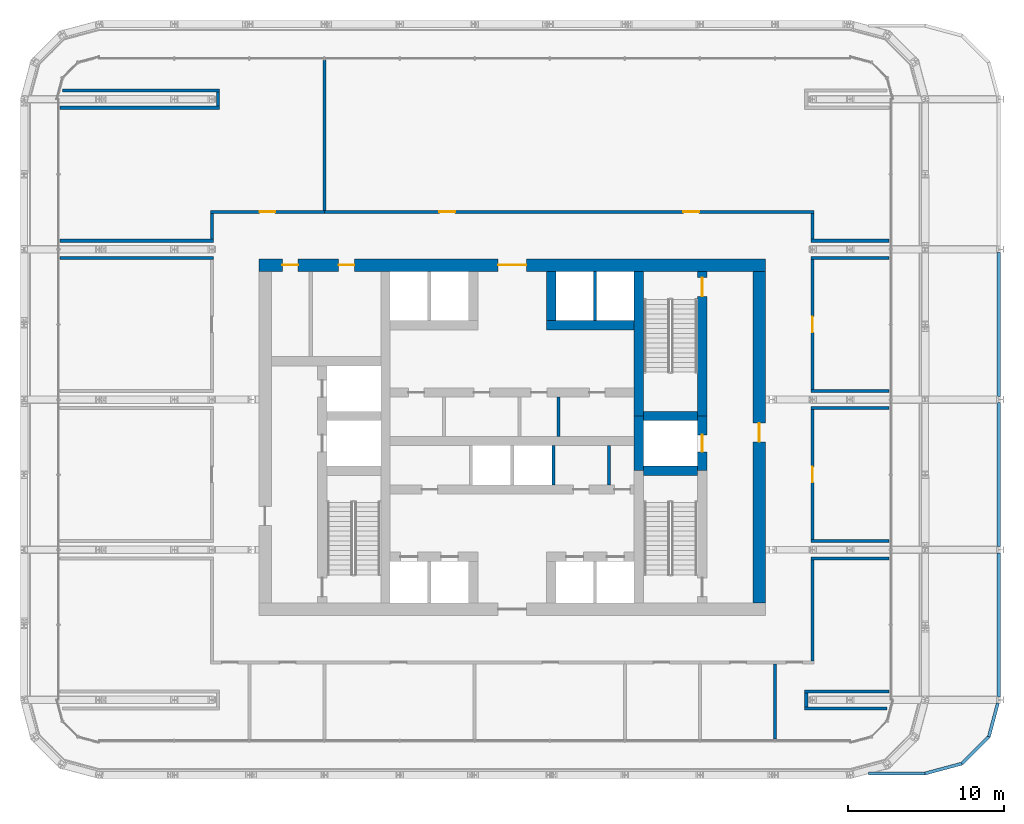
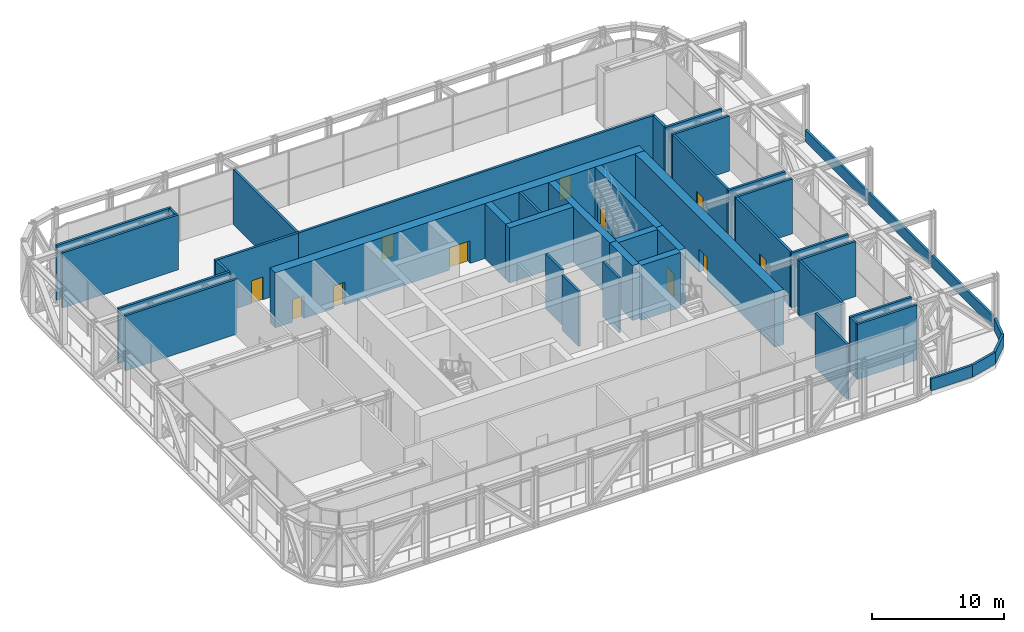
# One storey, part 18 of 25: 44 walls, 11 doors, 11 openings.
"""IFC4 building model written with IfcOpenShell, lengths in metres."""

from ifc_helpers import new_model, si_unit, direction, frame, frame_2d, origin, place, context, subcontext, project, spatial, rectangle, extrude, material, layer, layer_set, type_object, element, fill, save


model = new_model("IFC4")

# Units and contexts
model_context = context("Model", 3, precision=1e-05, world=origin(), true_north=direction((0.0, 1.0)))
body_context = subcontext(model_context, "Body", "Model", "MODEL_VIEW")
ifc_project = project(units=[si_unit("LENGTHUNIT", "METRE"), si_unit("AREAUNIT", "SQUARE_METRE"), si_unit("VOLUMEUNIT", "CUBIC_METRE"), si_unit("PLANEANGLEUNIT", "RADIAN"), si_unit("MASSUNIT", "GRAM", prefix="KILO")], contexts=[model_context])

# Site, building, storey
site_placement = place(None, origin())
site = spatial("IfcSite", under=ifc_project, at=site_placement, CompositionType="ELEMENT")
building_placement = place(site_placement, origin())
building = spatial("IfcBuilding", under=site, at=building_placement, Name="Madar Terraces", CompositionType="ELEMENT")
storey_placement = place(building_placement, frame((0.0, 0.0, 113.699951171875)))
storey = spatial("IfcBuildingStorey", under=building, at=storey_placement, Name="L29", CompositionType="ELEMENT", Elevation=113.699951171875)

# Walls
ifc_material_1 = material(Name="Concrete C70/85", Category="concrete")
ifc_layer_1 = layer(ifc_material_1, 0.60009765625)
ifc_layer_set_1 = layer_set([ifc_layer_1], Name="Concrete C70/85 (CIW3 RC wall 600)")
wall_type_1 = type_object("IfcWallType", Name="CIW3 RC wall 600", PredefinedType="SHEAR", material=ifc_layer_set_1)
wall_1_placement = place(storey_placement, frame((39.300048828125, 24.25, 0.0), z_axis=(0.0, 0.0, 1.0), x_axis=(0.0, 1.0, 0.0)))
element("IfcWall", 1, at=wall_1_placement, inside=storey, type_object=wall_type_1, Name="CORE SHAFT WALL", PredefinedType="SHEAR", context=body_context, shape_type="SweptSolid", body=[
    extrude(rectangle(XDim=3.5, YDim=0.60009765625, at=frame_2d((1.75, 0.0))), origin(), (0.0, 0.0, 1.0), 5.10009765625),
])
wall_2_placement = place(storey_placement, frame((39.300048828125, 27.75, 0.0), z_axis=(0.0, 0.0, 1.0), x_axis=(0.0, 1.0, 0.0)))
element("IfcWall", 2, at=wall_2_placement, inside=storey, type_object=wall_type_1, Name="CORE SHAFT WALL", PredefinedType="SHEAR", context=body_context, shape_type="SweptSolid", body=[
    extrude(rectangle(XDim=9.25, YDim=0.60009765625, at=frame_2d((4.625, 0.0))), origin(), (0.0, 0.0, 1.0), 5.10009765625),
])

# Wall, opening, door
wall_3_placement = place(storey_placement, frame((43.35009765625, 24.25, 0.0), z_axis=(0.0, 0.0, 1.0), x_axis=(0.0, 1.0, 0.0)))
wall_3 = element("IfcWall", 3, at=wall_3_placement, inside=storey, type_object=wall_type_1, Name="CORE SHAFT WALL", PredefinedType="SHEAR", context=body_context, shape_type="SweptSolid", body=[
    extrude(rectangle(XDim=3.5, YDim=0.60009765625, at=frame_2d((1.75, 0.0))), origin(), (0.0, 0.0, 1.0), 5.10009765625),
])
opening_1_placement = place(wall_3_placement, frame((1.199951171875, 0.0, 0.0)))
opening_1 = element("IfcOpeningElement", 4, at=opening_1_placement, cuts=wall_3, Name="Opening LD", PredefinedType="OPENING", context=body_context, shape_type="SweptSolid", body=[
    extrude(rectangle(XDim=1.10009765625, YDim=2.10009765625, at=frame_2d((0.550048828125, 1.050048828125))), frame((0.0, 0.31005859375, 0.0), z_axis=(0.0, -1.0, 0.0), x_axis=(1.0, 0.0, 0.0)), (0.0, 0.0, 1.0), 0.6201171875),
])
ifc_material_2 = material(Name="Stainless steel panel", Category="steel")
door_type_1 = type_object("IfcDoorType", Name="Lift landing door 1100 x 2100", OperationType="DOUBLE_DOOR_SLIDING", PredefinedType="DOOR", material=ifc_material_2)
door_1_placement = place(opening_1_placement, origin())
door_1 = element("IfcDoor", 5, at=door_1_placement, inside=storey, type_object=door_type_1, Name="LIFT LANDING DOOR", OperationType="DOUBLE_DOOR_SLIDING", OverallHeight=2.10009765625, OverallWidth=1.10009765625, PredefinedType="DOOR", context=body_context, shape_type="SweptSolid", body=[
    extrude(rectangle(XDim=1.10009765625, YDim=2.10009765625, at=frame_2d((0.550048828125, 1.050048828125))), frame((0.0, 0.02490234375, 0.0), z_axis=(0.0, -1.0, 0.0), x_axis=(1.0, 0.0, 0.0)), (0.0, 0.0, 1.0), 0.050048828125),
])
fill(opening_1, door_1)

wall_4_placement = place(storey_placement, frame((43.35009765625, 27.75, 0.0), z_axis=(0.0, 0.0, 1.0), x_axis=(0.0, 1.0, 0.0)))
wall_4 = element("IfcWall", 6, at=wall_4_placement, inside=storey, type_object=wall_type_1, Name="CORE SHAFT WALL", PredefinedType="SHEAR", context=body_context, shape_type="SweptSolid", body=[
    extrude(rectangle(XDim=9.25, YDim=0.60009765625, at=frame_2d((4.625, 0.0))), origin(), (0.0, 0.0, 1.0), 5.10009765625),
])
opening_2_placement = place(wall_4_placement, frame((7.64990234375, 0.0, 0.0)))
opening_2 = element("IfcOpeningElement", 7, at=opening_2_placement, cuts=wall_4, Name="Opening SD1", PredefinedType="OPENING", context=body_context, shape_type="SweptSolid", body=[
    extrude(rectangle(XDim=1.199951171875, YDim=2.10009765625, at=frame_2d((0.60009765625, 1.050048828125))), frame((0.0, 0.31005859375, 0.0), z_axis=(0.0, -1.0, 0.0), x_axis=(1.0, 0.0, 0.0)), (0.0, 0.0, 1.0), 0.6201171875),
])
ifc_material_3 = material(Name="Steel door leaf", Category="steel")
door_type_2 = type_object("IfcDoorType", Name="Stair door 1200 x 2100", OperationType="NOTDEFINED", PredefinedType="DOOR", material=ifc_material_3)
door_2_placement = place(opening_2_placement, origin())
door_2 = element("IfcDoor", 8, at=door_2_placement, inside=storey, type_object=door_type_2, Name="STAIR DOOR", OperationType="SINGLE_SWING_LEFT", OverallHeight=2.10009765625, OverallWidth=1.199951171875, PredefinedType="DOOR", context=body_context, shape_type="SweptSolid", body=[
    extrude(rectangle(XDim=1.199951171875, YDim=2.10009765625, at=frame_2d((0.60009765625, 1.050048828125))), frame((0.0, 0.02490234375, 0.0), z_axis=(0.0, -1.0, 0.0), x_axis=(1.0, 0.0, 0.0)), (0.0, 0.0, 1.0), 0.050048828125),
])
fill(opening_2, door_2)

# Walls
for number, where, z_axis, x_axis, name in (
    (9, (39.60009765625, 24.25, 0.0), (0.0, 0.0, 1.0), (1.0, 0.0, 0.0), "CORE SHAFT WALL"),
    (10, (39.60009765625, 27.75, 0.0), (0.0, 0.0, 1.0), (1.0, 0.0, 0.0), "CORE SHAFT WALL"),
):
    element("IfcWall", number, at=place(storey_placement, frame(where, z_axis=z_axis, x_axis=x_axis)), inside=storey, type_object=wall_type_1, Name=name, PredefinedType="SHEAR", context=body_context, shape_type="SweptSolid", body=[
        extrude(rectangle(XDim=3.449951171875, YDim=0.60009765625, at=frame_2d((1.72509765625, 0.0))), origin(), (0.0, 0.0, 1.0), 5.10009765625),
    ])
wall_5_placement = place(storey_placement, frame((33.39990234375, 33.550048828125, 0.0), z_axis=(0.0, 0.0, 1.0), x_axis=(1.0, 0.0, 0.0)))
element("IfcWall", 11, at=wall_5_placement, inside=storey, type_object=wall_type_1, Name="CORE SHAFT WALL", PredefinedType="SHEAR", context=body_context, shape_type="SweptSolid", body=[
    extrude(rectangle(XDim=5.60009765625, YDim=0.60009765625, at=frame_2d((2.800048828125, 0.0))), origin(), (0.0, 0.0, 1.0), 5.10009765625),
])
wall_6_placement = place(storey_placement, frame((33.699951171875, 33.85009765625, 0.0), z_axis=(0.0, 0.0, 1.0), x_axis=(0.0, 1.0, 0.0)))
element("IfcWall", 12, at=wall_6_placement, inside=storey, type_object=wall_type_1, Name="CORE SHAFT WALL", PredefinedType="SHEAR", context=body_context, shape_type="SweptSolid", body=[
    extrude(rectangle(XDim=3.14990234375, YDim=0.60009765625, at=frame_2d((1.574951171875, 0.0))), origin(), (0.0, 0.0, 1.0), 5.10009765625),
])

# Wall, openings, doors
ifc_material_4 = material(Name="Concrete C70/85", Category="concrete")
ifc_layer_2 = layer(ifc_material_4, 0.800048828125)
ifc_layer_set_2 = layer_set([ifc_layer_2], Name="Concrete C70/85 (CRW3 RC wall 800)")
wall_type_2 = type_object("IfcWallType", Name="CRW3 RC wall 800", PredefinedType="SHEAR", material=ifc_layer_set_2)
wall_7_placement = place(storey_placement, frame((15.0, 37.39990234375, 0.0), z_axis=(0.0, 0.0, 1.0), x_axis=(1.0, 0.0, 0.0)))
wall_7 = element("IfcWall", 13, at=wall_7_placement, inside=storey, type_object=wall_type_2, Name="CORE OUTER WALL", PredefinedType="SHEAR", context=body_context, shape_type="SweptSolid", body=[
    extrude(rectangle(XDim=32.39990234375, YDim=0.800048828125, at=frame_2d((16.199951171875, 0.0))), origin(), (0.0, 0.0, 1.0), 5.10009765625),
])
opening_3_placement = place(wall_7_placement, frame((15.300048828125, 0.0, 0.0)))
opening_3 = element("IfcOpeningElement", 14, at=opening_3_placement, cuts=wall_7, Name="Opening KD1", PredefinedType="OPENING", context=body_context, shape_type="SweptSolid", body=[
    extrude(rectangle(XDim=1.800048828125, YDim=2.10009765625, at=frame_2d((0.89990234375, 1.050048828125))), frame((0.0, 0.409912109375, 0.0), z_axis=(0.0, -1.0, 0.0), x_axis=(1.0, 0.0, 0.0)), (0.0, 0.0, 1.0), 0.820068359375),
])
opening_4_placement = place(wall_7_placement, frame((1.510009765625, 0.0, 0.0)))
opening_4 = element("IfcOpeningElement", 15, at=opening_4_placement, cuts=wall_7, Name="Opening KD2", PredefinedType="OPENING", context=body_context, shape_type="SweptSolid", body=[
    extrude(rectangle(XDim=1.0, YDim=2.10009765625, at=frame_2d((0.5, 1.050048828125))), frame((0.0, 0.409912109375, 0.0), z_axis=(0.0, -1.0, 0.0), x_axis=(1.0, 0.0, 0.0)), (0.0, 0.0, 1.0), 0.820068359375),
])
opening_5_placement = place(wall_7_placement, frame((5.110107421875, 0.0, 0.0)))
opening_5 = element("IfcOpeningElement", 16, at=opening_5_placement, cuts=wall_7, Name="Opening KD2", PredefinedType="OPENING", context=body_context, shape_type="SweptSolid", body=[
    extrude(rectangle(XDim=1.0, YDim=2.10009765625, at=frame_2d((0.5, 1.050048828125))), frame((0.0, 0.409912109375, 0.0), z_axis=(0.0, -1.0, 0.0), x_axis=(1.0, 0.0, 0.0)), (0.0, 0.0, 1.0), 0.820068359375),
])
ifc_material_5 = material(Name="Steel door leaf", Category="steel")
door_type_3 = type_object("IfcDoorType", Name="Lobby door pair 1800 x 2100", OperationType="DOUBLE_DOOR_SINGLE_SWING", PredefinedType="DOOR", material=ifc_material_5)
door_3_placement = place(opening_3_placement, origin())
door_3 = element("IfcDoor", 17, at=door_3_placement, inside=storey, type_object=door_type_3, Name="LIFT LOBBY DOOR", OperationType="DOUBLE_DOOR_SINGLE_SWING", OverallHeight=2.10009765625, OverallWidth=1.800048828125, PredefinedType="DOOR", context=body_context, shape_type="SweptSolid", body=[
    extrude(rectangle(XDim=1.800048828125, YDim=2.10009765625, at=frame_2d((0.89990234375, 1.050048828125))), frame((0.0, 0.02490234375, 0.0), z_axis=(0.0, -1.0, 0.0), x_axis=(1.0, 0.0, 0.0)), (0.0, 0.0, 1.0), 0.050048828125),
])
fill(opening_3, door_3)
ifc_material_6 = material(Name="Steel door leaf", Category="steel")
door_type_4 = type_object("IfcDoorType", Name="Service room door 1000 x 2100", OperationType="NOTDEFINED", PredefinedType="DOOR", material=ifc_material_6)
door_4_placement = place(opening_4_placement, origin())
door_4 = element("IfcDoor", 18, at=door_4_placement, inside=storey, type_object=door_type_4, Name="SERVICE ROOM DOOR", OperationType="SINGLE_SWING_RIGHT", OverallHeight=2.10009765625, OverallWidth=1.0, PredefinedType="DOOR", context=body_context, shape_type="SweptSolid", body=[
    extrude(rectangle(XDim=1.0, YDim=2.10009765625, at=frame_2d((0.5, 1.050048828125))), frame((0.0, 0.02490234375, 0.0), z_axis=(0.0, -1.0, 0.0), x_axis=(1.0, 0.0, 0.0)), (0.0, 0.0, 1.0), 0.050048828125),
])
fill(opening_4, door_4)
door_5_placement = place(opening_5_placement, origin())
door_5 = element("IfcDoor", 19, at=door_5_placement, inside=storey, type_object=door_type_4, Name="SERVICE ROOM DOOR", OperationType="SINGLE_SWING_LEFT", OverallHeight=2.10009765625, OverallWidth=1.0, PredefinedType="DOOR", context=body_context, shape_type="SweptSolid", body=[
    extrude(rectangle(XDim=1.0, YDim=2.10009765625, at=frame_2d((0.5, 1.050048828125))), frame((0.0, 0.02490234375, 0.0), z_axis=(0.0, -1.0, 0.0), x_axis=(1.0, 0.0, 0.0)), (0.0, 0.0, 1.0), 0.050048828125),
])
fill(opening_5, door_5)

# Wall, opening, door
wall_8_placement = place(storey_placement, frame((47.0, 15.800048828125, 0.0), z_axis=(0.0, 0.0, 1.0), x_axis=(0.0, 1.0, 0.0)))
wall_8 = element("IfcWall", 20, at=wall_8_placement, inside=storey, type_object=wall_type_2, Name="CORE OUTER WALL", PredefinedType="SHEAR", context=body_context, shape_type="SweptSolid", body=[
    extrude(rectangle(XDim=21.199951171875, YDim=0.800048828125, at=frame_2d((10.60009765625, 0.0))), origin(), (0.0, 0.0, 1.0), 5.10009765625),
])
opening_6_placement = place(wall_8_placement, frame((10.300048828125, 0.0, 0.0)))
opening_6 = element("IfcOpeningElement", 21, at=opening_6_placement, cuts=wall_8, Name="Opening SD1", PredefinedType="OPENING", context=body_context, shape_type="SweptSolid", body=[
    extrude(rectangle(XDim=1.199951171875, YDim=2.10009765625, at=frame_2d((0.60009765625, 1.050048828125))), frame((0.0, 0.409912109375, 0.0), z_axis=(0.0, -1.0, 0.0), x_axis=(1.0, 0.0, 0.0)), (0.0, 0.0, 1.0), 0.820068359375),
])
door_6_placement = place(opening_6_placement, origin())
door_6 = element("IfcDoor", 22, at=door_6_placement, inside=storey, type_object=door_type_2, Name="STAIR DOOR", OperationType="SINGLE_SWING_LEFT", OverallHeight=2.10009765625, OverallWidth=1.199951171875, PredefinedType="DOOR", context=body_context, shape_type="SweptSolid", body=[
    extrude(rectangle(XDim=1.199951171875, YDim=2.10009765625, at=frame_2d((0.60009765625, 1.050048828125))), frame((0.0, 0.02490234375, 0.0), z_axis=(0.0, -1.0, 0.0), x_axis=(1.0, 0.0, 0.0)), (0.0, 0.0, 1.0), 0.050048828125),
])
fill(opening_6, door_6)

# Walls
ifc_material_7 = material(Name="Masonry blockwork", Category="masonry")
ifc_layer_3 = layer(ifc_material_7, 0.199951171875)
ifc_layer_set_3 = layer_set([ifc_layer_3], Name="Core partition 200 blockwork")
wall_type_3 = type_object("IfcWallType", Name="Core partition 200 blockwork", PredefinedType="PARTITIONING", material=ifc_layer_set_3)
for number, where, z_axis, x_axis, name in (
    (23, (37.378662109375, 23.35009765625, 0.0), (0.0, 0.0, 1.0), (0.0, 1.0, 0.0), "SERVICE ROOM PARTITION"),
    (24, (34.1640625, 26.449951171875, 0.0), (0.0, 0.0, 1.0), (0.0, 1.0, 0.0), "SERVICE ROOM PARTITION"),
):
    element("IfcWall", number, at=place(storey_placement, frame(where, z_axis=z_axis, x_axis=x_axis)), inside=storey, type_object=wall_type_3, Name=name, PredefinedType="PARTITIONING", context=body_context, shape_type="SweptSolid", body=[
        extrude(rectangle(XDim=2.5, YDim=0.199951171875, at=frame_2d((1.25, 0.0))), origin(), (0.0, 0.0, 1.0), 5.10009765625),
    ])
ifc_material_8 = material(Name="Concrete C40/50", Category="concrete")
ifc_layer_4 = layer(ifc_material_8, 0.199951171875)
ifc_layer_set_4 = layer_set([ifc_layer_4], Name="Core shaft dividing wall 200 C40/50")
wall_type_4 = type_object("IfcWallType", Name="Core shaft dividing wall 200 C40/50", PredefinedType="SOLIDWALL", material=ifc_layer_set_4)
wall_9_placement = place(storey_placement, frame((33.833251953125, 23.35009765625, 0.0), z_axis=(0.0, 0.0, 1.0), x_axis=(0.0, 1.0, 0.0)))
element("IfcWall", 25, at=wall_9_placement, inside=storey, type_object=wall_type_4, Name="SHAFT DIVIDING WALL", PredefinedType="SOLIDWALL", context=body_context, shape_type="SweptSolid", body=[
    extrude(rectangle(XDim=2.5, YDim=0.199951171875, at=frame_2d((1.25, 0.0))), origin(), (0.0, 0.0, 1.0), 5.10009765625),
])
wall_10_placement = place(storey_placement, frame((36.5, 33.85009765625, 0.0), z_axis=(0.0, 0.0, 1.0), x_axis=(0.0, 1.0, 0.0)))
element("IfcWall", 26, at=wall_10_placement, inside=storey, type_object=wall_type_4, Name="SHAFT DIVIDING WALL", PredefinedType="SOLIDWALL", context=body_context, shape_type="SweptSolid", body=[
    extrude(rectangle(XDim=3.14990234375, YDim=0.199951171875, at=frame_2d((1.574951171875, 0.0))), origin(), (0.0, 0.0, 1.0), 5.10009765625),
])
ifc_material_9 = material(Name="Blockwork", Category="masonry")
ifc_layer_5 = layer(ifc_material_9, 0.199951171875)
ifc_layer_set_5 = layer_set([ifc_layer_5], Name="Partition 200 EI 120")
wall_type_5 = type_object("IfcWallType", Name="Partition 200 EI 120", PredefinedType="PARTITIONING", material=ifc_layer_set_5)
wall_11_placement = place(storey_placement, frame((49.89990234375, 9.050048828125, 0.0), z_axis=(0.0, 0.0, 1.0), x_axis=(1.0, 0.0, 0.0)))
element("IfcWall", 27, at=wall_11_placement, inside=storey, type_object=wall_type_5, Name="Wall SPRINKLER TANK ROOM / TRUSS SLOT", PredefinedType="PARTITIONING", context=body_context, shape_type="SweptSolid", body=[
    extrude(rectangle(XDim=5.25, YDim=0.199951171875, at=frame_2d((2.625, 0.0))), origin(), (0.0, 0.0, 1.0), 5.10009765625),
])
wall_12_placement = place(storey_placement, frame((49.89990234375, 10.14990234375, 0.0), z_axis=(0.0, 0.0, 1.0), x_axis=(1.0, 0.0, 0.0)))
element("IfcWall", 28, at=wall_12_placement, inside=storey, type_object=wall_type_5, Name="Wall SPRINKLER TANK ROOM / TRUSS SLOT", PredefinedType="PARTITIONING", context=body_context, shape_type="SweptSolid", body=[
    extrude(rectangle(XDim=5.400146484375, YDim=0.199951171875, at=frame_2d((2.7001953125, 0.0))), origin(), (0.0, 0.0, 1.0), 5.10009765625),
])
for number, where, z_axis, x_axis, name in (
    (29, (50.300048828125, 18.64990234375, 0.0), (0.0, 0.0, 1.0), (1.0, 0.0, 0.0), "Wall SPRINKLER TANK ROOM / TRUSS SLOT"),
    (30, (50.300048828125, 19.75, 0.0), (0.0, 0.0, 1.0), (1.0, 0.0, 0.0), "Wall STORE PLANT ROOM / TRUSS SLOT"),
    (31, (50.300048828125, 28.25, 0.0), (0.0, 0.0, 1.0), (1.0, 0.0, 0.0), "Wall STORE PLANT ROOM / TRUSS SLOT"),
    (32, (50.300048828125, 29.35009765625, 0.0), (0.0, 0.0, 1.0), (1.0, 0.0, 0.0), "Wall TRANSFORMER ROOM / TRUSS SLOT"),
):
    element("IfcWall", number, at=place(storey_placement, frame(where, z_axis=z_axis, x_axis=x_axis)), inside=storey, type_object=wall_type_5, Name=name, PredefinedType="PARTITIONING", context=body_context, shape_type="SweptSolid", body=[
        extrude(rectangle(XDim=5.0, YDim=0.199951171875, at=frame_2d((2.5, 0.0))), origin(), (0.0, 0.0, 1.0), 5.10009765625),
    ])
wall_13_placement = place(storey_placement, frame((2.300048828125, 37.85009765625, 0.0), z_axis=(0.0, 0.0, 1.0), x_axis=(1.0, 0.0, 0.0)))
element("IfcWall", 33, at=wall_13_placement, inside=storey, type_object=wall_type_5, Name="Wall CHILLER PLANT ROOM / TRUSS SLOT", PredefinedType="PARTITIONING", context=body_context, shape_type="SweptSolid", body=[
    extrude(rectangle(XDim=9.800048828125, YDim=0.199951171875, at=frame_2d((4.89990234375, 0.0))), origin(), (0.0, 0.0, 1.0), 5.10009765625),
])
wall_14_placement = place(storey_placement, frame((50.300048828125, 37.85009765625, 0.0), z_axis=(0.0, 0.0, 1.0), x_axis=(1.0, 0.0, 0.0)))
element("IfcWall", 34, at=wall_14_placement, inside=storey, type_object=wall_type_5, Name="Wall TRANSFORMER ROOM / TRUSS SLOT", PredefinedType="PARTITIONING", context=body_context, shape_type="SweptSolid", body=[
    extrude(rectangle(XDim=5.0, YDim=0.199951171875, at=frame_2d((2.5, 0.0))), origin(), (0.0, 0.0, 1.0), 5.10009765625),
])
wall_15_placement = place(storey_placement, frame((2.300048828125, 38.949951171875, 0.0), z_axis=(0.0, 0.0, 1.0), x_axis=(1.0, 0.0, 0.0)))
element("IfcWall", 35, at=wall_15_placement, inside=storey, type_object=wall_type_5, Name="Wall AIR HANDLING PLANT ROOM / TRUSS SLOT", PredefinedType="PARTITIONING", context=body_context, shape_type="SweptSolid", body=[
    extrude(rectangle(XDim=9.800048828125, YDim=0.199951171875, at=frame_2d((4.89990234375, 0.0))), origin(), (0.0, 0.0, 1.0), 5.10009765625),
])

# Wall, opening, door
wall_16_placement = place(storey_placement, frame((11.89990234375, 40.800048828125, 0.0), z_axis=(0.0, 0.0, 1.0), x_axis=(1.0, 0.0, 0.0)))
wall_16 = element("IfcWall", 36, at=wall_16_placement, inside=storey, type_object=wall_type_5, Name="Wall AIR HANDLING PLANT ROOM / RING CORRIDOR", PredefinedType="PARTITIONING", context=body_context, shape_type="SweptSolid", body=[
    extrude(rectangle(XDim=7.300048828125, YDim=0.199951171875, at=frame_2d((3.64990234375, 0.0))), origin(), (0.0, 0.0, 1.0), 5.10009765625),
])
opening_7_placement = place(wall_16_placement, frame((3.14990234375, 0.0, 0.0)))
opening_7 = element("IfcOpeningElement", 37, at=opening_7_placement, cuts=wall_16, Name="Opening D33", PredefinedType="OPENING", context=body_context, shape_type="SweptSolid", body=[
    extrude(rectangle(XDim=1.0, YDim=2.10009765625, at=frame_2d((0.5, 1.050048828125))), frame((0.0, 0.10986328125, 0.0), z_axis=(0.0, -1.0, 0.0), x_axis=(1.0, 0.0, 0.0)), (0.0, 0.0, 1.0), 0.219970703125),
])
ifc_material_10 = material(Name="Timber door leaf, fire-rated", Category="wood")
door_type_5 = type_object("IfcDoorType", Name="Podium door 1000 x 2100 FD90S", OperationType="NOTDEFINED", PredefinedType="DOOR", material=ifc_material_10)
door_7_placement = place(opening_7_placement, origin())
door_7 = element("IfcDoor", 38, at=door_7_placement, inside=storey, type_object=door_type_5, Name="Door AIR HANDLING PLANT ROOM / RING CORRIDOR", OperationType="SINGLE_SWING_RIGHT", OverallHeight=2.10009765625, OverallWidth=1.0, PredefinedType="DOOR", context=body_context, shape_type="SweptSolid", body=[
    extrude(rectangle(XDim=1.0, YDim=2.10009765625, at=frame_2d((0.5, 1.050048828125))), frame((0.0, 0.02490234375, 0.0), z_axis=(0.0, -1.0, 0.0), x_axis=(1.0, 0.0, 0.0)), (0.0, 0.0, 1.0), 0.050048828125),
])
fill(opening_7, door_7)

# Walls
wall_17_placement = place(storey_placement, frame((2.300048828125, 47.449951171875, 0.0), z_axis=(0.0, 0.0, 1.0), x_axis=(1.0, 0.0, 0.0)))
element("IfcWall", 39, at=wall_17_placement, inside=storey, type_object=wall_type_5, Name="Wall AIR HANDLING PLANT ROOM / TRUSS SLOT", PredefinedType="PARTITIONING", context=body_context, shape_type="SweptSolid", body=[
    extrude(rectangle(XDim=10.199951171875, YDim=0.199951171875, at=frame_2d((5.10009765625, 0.0))), origin(), (0.0, 0.0, 1.0), 5.10009765625),
])
wall_18_placement = place(storey_placement, frame((2.449951171875, 48.550048828125, 0.0), z_axis=(0.0, 0.0, 1.0), x_axis=(1.0, 0.0, 0.0)))
element("IfcWall", 40, at=wall_18_placement, inside=storey, type_object=wall_type_5, Name="Wall AIR HANDLING PLANT ROOM / TRUSS SLOT", PredefinedType="PARTITIONING", context=body_context, shape_type="SweptSolid", body=[
    extrude(rectangle(XDim=10.050048828125, YDim=0.199951171875, at=frame_2d((5.02490234375, 0.0))), origin(), (0.0, 0.0, 1.0), 5.10009765625),
])
wall_19_placement = place(storey_placement, frame((12.0, 39.050048828125, 0.0), z_axis=(0.0, 0.0, 1.0), x_axis=(0.0, 1.0, 0.0)))
element("IfcWall", 41, at=wall_19_placement, inside=storey, type_object=wall_type_5, Name="Wall AIR HANDLING PLANT ROOM / RING CORRIDOR", PredefinedType="PARTITIONING", context=body_context, shape_type="SweptSolid", body=[
    extrude(rectangle(XDim=1.64990234375, YDim=0.199951171875, at=frame_2d((0.824951171875, 0.0))), origin(), (0.0, 0.0, 1.0), 5.10009765625),
])
wall_20_placement = place(storey_placement, frame((12.39990234375, 47.550048828125, 0.0), z_axis=(0.0, 0.0, 1.0), x_axis=(0.0, 1.0, 0.0)))
element("IfcWall", 42, at=wall_20_placement, inside=storey, type_object=wall_type_5, Name="Wall AIR HANDLING PLANT ROOM / TRUSS SLOT", PredefinedType="PARTITIONING", context=body_context, shape_type="SweptSolid", body=[
    extrude(rectangle(XDim=0.89990234375, YDim=0.199951171875, at=frame_2d((0.449951171875, 0.0))), origin(), (0.0, 0.0, 1.0), 5.10009765625),
])
wall_21_placement = place(storey_placement, frame((19.199951171875, 40.89990234375, 0.0), z_axis=(0.0, 0.0, 1.0), x_axis=(0.0, 1.0, 0.0)))
element("IfcWall", 43, at=wall_21_placement, inside=storey, type_object=wall_type_5, Name="Wall AIR HANDLING PLANT ROOM / REFUGE AREA R2", PredefinedType="PARTITIONING", context=body_context, shape_type="SweptSolid", body=[
    extrude(rectangle(XDim=9.60009765625, YDim=0.199951171875, at=frame_2d((4.800048828125, 0.0))), origin(), (0.0, 0.0, 1.0), 5.10009765625),
])
wall_22_placement = place(storey_placement, frame((48.0, 7.10009765625, 0.0), z_axis=(0.0, 0.0, 1.0), x_axis=(0.0, 1.0, 0.0)))
element("IfcWall", 44, at=wall_22_placement, inside=storey, type_object=wall_type_5, Name="Wall COMMS PLANT ROOM / SPRINKLER TANK ROOM", PredefinedType="PARTITIONING", context=body_context, shape_type="SweptSolid", body=[
    extrude(rectangle(XDim=4.7998046875, YDim=0.199951171875, at=frame_2d((2.39990234375, 0.0))), origin(), (0.0, 0.0, 1.0), 5.10009765625),
])
wall_23_placement = place(storey_placement, frame((50.0, 9.14990234375, 0.0), z_axis=(0.0, 0.0, 1.0), x_axis=(0.0, 1.0, 0.0)))
element("IfcWall", 45, at=wall_23_placement, inside=storey, type_object=wall_type_5, Name="Wall SPRINKLER TANK ROOM / TRUSS SLOT", PredefinedType="PARTITIONING", context=body_context, shape_type="SweptSolid", body=[
    extrude(rectangle(XDim=0.900146484375, YDim=0.199951171875, at=frame_2d((0.4501953125, 0.0))), origin(), (0.0, 0.0, 1.0), 5.10009765625),
])
wall_24_placement = place(storey_placement, frame((50.39990234375, 12.10009765625, 0.0), z_axis=(0.0, 0.0, 1.0), x_axis=(0.0, 1.0, 0.0)))
element("IfcWall", 46, at=wall_24_placement, inside=storey, type_object=wall_type_5, Name="Wall SPRINKLER TANK ROOM / RING CORRIDOR", PredefinedType="PARTITIONING", context=body_context, shape_type="SweptSolid", body=[
    extrude(rectangle(XDim=6.449951171875, YDim=0.199951171875, at=frame_2d((3.22509765625, 0.0))), origin(), (0.0, 0.0, 1.0), 5.10009765625),
])

# Wall, opening, door
wall_25_placement = place(storey_placement, frame((50.39990234375, 28.14990234375, 0.0), z_axis=(0.0, 0.0, 1.0), x_axis=(0.0, -1.0, 0.0)))
wall_25 = element("IfcWall", 47, at=wall_25_placement, inside=storey, type_object=wall_type_5, Name="Wall STORE PLANT ROOM / RING CORRIDOR", PredefinedType="PARTITIONING", context=body_context, shape_type="SweptSolid", body=[
    extrude(rectangle(XDim=8.2998046875, YDim=0.199951171875, at=frame_2d((4.14990234375, 0.0))), origin(), (0.0, 0.0, 1.0), 5.10009765625),
])
opening_8_placement = place(wall_25_placement, frame((3.64990234375, 0.0, 0.0)))
opening_8 = element("IfcOpeningElement", 48, at=opening_8_placement, cuts=wall_25, Name="Opening D33", PredefinedType="OPENING", context=body_context, shape_type="SweptSolid", body=[
    extrude(rectangle(XDim=1.0, YDim=2.10009765625, at=frame_2d((0.5, 1.050048828125))), frame((0.0, 0.10986328125, 0.0), z_axis=(0.0, -1.0, 0.0), x_axis=(1.0, 0.0, 0.0)), (0.0, 0.0, 1.0), 0.219970703125),
])
door_8_placement = place(opening_8_placement, origin())
door_8 = element("IfcDoor", 49, at=door_8_placement, inside=storey, type_object=door_type_5, Name="Door STORE PLANT ROOM / RING CORRIDOR", OperationType="SINGLE_SWING_LEFT", OverallHeight=2.10009765625, OverallWidth=1.0, PredefinedType="DOOR", context=body_context, shape_type="SweptSolid", body=[
    extrude(rectangle(XDim=1.0, YDim=2.10009765625, at=frame_2d((0.5, 1.050048828125))), frame((0.0, 0.02490234375, 0.0), z_axis=(0.0, -1.0, 0.0), x_axis=(1.0, 0.0, 0.0)), (0.0, 0.0, 1.0), 0.050048828125),
])
fill(opening_8, door_8)

wall_26_placement = place(storey_placement, frame((50.39990234375, 37.75, 0.0), z_axis=(0.0, 0.0, 1.0), x_axis=(0.0, -1.0, 0.0)))
wall_26 = element("IfcWall", 50, at=wall_26_placement, inside=storey, type_object=wall_type_5, Name="Wall TRANSFORMER ROOM / RING CORRIDOR", PredefinedType="PARTITIONING", context=body_context, shape_type="SweptSolid", body=[
    extrude(rectangle(XDim=8.300048828125, YDim=0.199951171875, at=frame_2d((4.14990234375, 0.0))), origin(), (0.0, 0.0, 1.0), 5.10009765625),
])
opening_9_placement = place(wall_26_placement, frame((3.64990234375, 0.0, 0.0)))
opening_9 = element("IfcOpeningElement", 51, at=opening_9_placement, cuts=wall_26, Name="Opening D33", PredefinedType="OPENING", context=body_context, shape_type="SweptSolid", body=[
    extrude(rectangle(XDim=1.0, YDim=2.10009765625, at=frame_2d((0.5, 1.050048828125))), frame((0.0, 0.10986328125, 0.0), z_axis=(0.0, -1.0, 0.0), x_axis=(1.0, 0.0, 0.0)), (0.0, 0.0, 1.0), 0.219970703125),
])
door_9_placement = place(opening_9_placement, origin())
door_9 = element("IfcDoor", 52, at=door_9_placement, inside=storey, type_object=door_type_5, Name="Door TRANSFORMER ROOM / RING CORRIDOR", OperationType="SINGLE_SWING_LEFT", OverallHeight=2.10009765625, OverallWidth=1.0, PredefinedType="DOOR", context=body_context, shape_type="SweptSolid", body=[
    extrude(rectangle(XDim=1.0, YDim=2.10009765625, at=frame_2d((0.5, 1.050048828125))), frame((0.0, 0.02490234375, 0.0), z_axis=(0.0, -1.0, 0.0), x_axis=(1.0, 0.0, 0.0)), (0.0, 0.0, 1.0), 0.050048828125),
])
fill(opening_9, door_9)

# Wall, openings, doors
ifc_material_11 = material(Name="Gypsum board partition, fire-rated")
ifc_layer_6 = layer(ifc_material_11, 0.199951171875)
ifc_layer_set_6 = layer_set([ifc_layer_6], Name="Partition 200 EI 60")
wall_type_6 = type_object("IfcWallType", Name="Partition 200 EI 60", PredefinedType="PARTITIONING", material=ifc_layer_set_6)
wall_27_placement = place(storey_placement, frame((50.5, 40.800048828125, 0.0), z_axis=(0.0, 0.0, 1.0), x_axis=(-1.0, 0.0, 0.0)))
wall_27 = element("IfcWall", 53, at=wall_27_placement, inside=storey, type_object=wall_type_6, Name="Wall REFUGE AREA R2 / RING CORRIDOR", PredefinedType="PARTITIONING", context=body_context, shape_type="SweptSolid", body=[
    extrude(rectangle(XDim=31.300048828125, YDim=0.199951171875, at=frame_2d((15.64990234375, 0.0))), origin(), (0.0, 0.0, 1.0), 5.10009765625),
])
opening_10_placement = place(wall_27_placement, frame((22.949951171875, 0.0, 0.0)))
opening_10 = element("IfcOpeningElement", 54, at=opening_10_placement, cuts=wall_27, Name="Opening D31", PredefinedType="OPENING", context=body_context, shape_type="SweptSolid", body=[
    extrude(rectangle(XDim=1.0, YDim=2.10009765625, at=frame_2d((0.5, 1.050048828125))), frame((0.0, 0.10986328125, 0.0), z_axis=(0.0, -1.0, 0.0), x_axis=(1.0, 0.0, 0.0)), (0.0, 0.0, 1.0), 0.219970703125),
])
opening_11_placement = place(wall_27_placement, frame((7.35009765625, 0.0, 0.0)))
opening_11 = element("IfcOpeningElement", 55, at=opening_11_placement, cuts=wall_27, Name="Opening D31", PredefinedType="OPENING", context=body_context, shape_type="SweptSolid", body=[
    extrude(rectangle(XDim=1.0, YDim=2.10009765625, at=frame_2d((0.5, 1.050048828125))), frame((0.0, 0.10986328125, 0.0), z_axis=(0.0, -1.0, 0.0), x_axis=(1.0, 0.0, 0.0)), (0.0, 0.0, 1.0), 0.219970703125),
])
ifc_material_12 = material(Name="Timber door leaf, fire-rated", Category="wood")
door_type_6 = type_object("IfcDoorType", Name="Podium door 1000 x 2100 FD30S", OperationType="NOTDEFINED", PredefinedType="DOOR", material=ifc_material_12)
door_10_placement = place(opening_10_placement, origin())
door_10 = element("IfcDoor", 56, at=door_10_placement, inside=storey, type_object=door_type_6, Name="Door REFUGE AREA R2 / RING CORRIDOR", OperationType="SINGLE_SWING_RIGHT", OverallHeight=2.10009765625, OverallWidth=1.0, PredefinedType="DOOR", context=body_context, shape_type="SweptSolid", body=[
    extrude(rectangle(XDim=1.0, YDim=2.10009765625, at=frame_2d((0.5, 1.050048828125))), frame((0.0, 0.02490234375, 0.0), z_axis=(0.0, -1.0, 0.0), x_axis=(1.0, 0.0, 0.0)), (0.0, 0.0, 1.0), 0.050048828125),
])
fill(opening_10, door_10)
door_11_placement = place(opening_11_placement, origin())
door_11 = element("IfcDoor", 57, at=door_11_placement, inside=storey, type_object=door_type_6, Name="Door REFUGE AREA R2 / RING CORRIDOR", OperationType="SINGLE_SWING_LEFT", OverallHeight=2.10009765625, OverallWidth=1.0, PredefinedType="DOOR", context=body_context, shape_type="SweptSolid", body=[
    extrude(rectangle(XDim=1.0, YDim=2.10009765625, at=frame_2d((0.5, 1.050048828125))), frame((0.0, 0.02490234375, 0.0), z_axis=(0.0, -1.0, 0.0), x_axis=(1.0, 0.0, 0.0)), (0.0, 0.0, 1.0), 0.050048828125),
])
fill(opening_11, door_11)

# Walls
wall_28_placement = place(storey_placement, frame((50.39990234375, 39.050048828125, 0.0), z_axis=(0.0, 0.0, 1.0), x_axis=(0.0, 1.0, 0.0)))
element("IfcWall", 58, at=wall_28_placement, inside=storey, type_object=wall_type_6, Name="Wall REFUGE AREA R2 / RING CORRIDOR", PredefinedType="PARTITIONING", context=body_context, shape_type="SweptSolid", body=[
    extrude(rectangle(XDim=1.64990234375, YDim=0.199951171875, at=frame_2d((0.824951171875, 0.0))), origin(), (0.0, 0.0, 1.0), 5.10009765625),
])
ifc_material_13 = material(Name="Gypsum board partition on metal studs")
ifc_layer_7 = layer(ifc_material_13, 0.199951171875)
ifc_layer_set_7 = layer_set([ifc_layer_7], Name="Partition 200 plain")
wall_type_7 = type_object("IfcWallType", Name="Partition 200 plain", PredefinedType="PARTITIONING", material=ifc_layer_set_7)
wall_29_placement = place(storey_placement, frame((50.300048828125, 38.949951171875, 0.0), z_axis=(0.0, 0.0, 1.0), x_axis=(1.0, 0.0, 0.0)))
element("IfcWall", 59, at=wall_29_placement, inside=storey, type_object=wall_type_7, Name="Wall REFUGE AREA R2 / TRUSS SLOT", PredefinedType="PARTITIONING", context=body_context, shape_type="SweptSolid", body=[
    extrude(rectangle(XDim=5.0, YDim=0.199951171875, at=frame_2d((2.5, 0.0))), origin(), (0.0, 0.0, 1.0), 5.10009765625),
])
ifc_material_14 = material(Name="Concrete C40/50", Category="concrete")
ifc_layer_8 = layer(ifc_material_14, 0.199951171875)
ifc_layer_set_8 = layer_set([ifc_layer_8], Name="Roof parapet 200")
wall_type_8 = type_object("IfcWallType", Name="Roof parapet 200", PredefinedType="PARAPET", material=ifc_layer_set_8)
for number, where, z_axis, x_axis, name in (
    (60, (57.60009765625, 4.89990234375, 0.0400390625), (0.0, 0.0, 1.0), (0.965901008911, 0.258911647064, 0.0), "Roof parapet"),
    (61, (59.949951171875, 5.52978515625, 0.0400390625), (0.0, 0.0, 1.0), (0.707156953733, 0.70705660508, 0.0), "Roof parapet"),
):
    element("IfcWall", number, at=place(storey_placement, frame(where, z_axis=z_axis, x_axis=x_axis)), inside=storey, type_object=wall_type_8, Name=name, PredefinedType="PARAPET", context=body_context, shape_type="SweptSolid", body=[
        extrude(rectangle(XDim=2.432861328125, YDim=0.199951171875, at=frame_2d((1.21630859375, 0.0))), origin(), (0.0, 0.0, 1.0), 1.10009765625),
    ])
wall_30_placement = place(storey_placement, frame((61.67041015625, 7.25, 0.0400390625), z_axis=(0.0, 0.0, 1.0), x_axis=(0.258768997543, 0.965939235103, 0.0)))
element("IfcWall", 62, at=wall_30_placement, inside=storey, type_object=wall_type_8, Name="Roof parapet", PredefinedType="PARAPET", context=body_context, shape_type="SweptSolid", body=[
    extrude(rectangle(XDim=2.224609375, YDim=0.199951171875, at=frame_2d((1.1123046875, 0.0))), origin(), (0.0, 0.0, 1.0), 1.10009765625),
])
wall_31_placement = place(storey_placement, frame((53.984619140625, 4.89990234375, 0.0400390625), z_axis=(0.0, 0.0, 1.0), x_axis=(1.0, 0.0, 0.0)))
element("IfcWall", 63, at=wall_31_placement, inside=storey, type_object=wall_type_8, Name="Roof parapet", PredefinedType="PARAPET", context=body_context, shape_type="SweptSolid", body=[
    extrude(rectangle(XDim=3.615478515625, YDim=0.199951171875, at=frame_2d((1.8076171875, 0.0))), origin(), (0.0, 0.0, 1.0), 1.10009765625),
])
wall_32_placement = place(storey_placement, frame((62.300048828125, 9.801025390625, 0.0400390625), z_axis=(0.0, 0.0, 1.0), x_axis=(0.0, 1.0, 0.0)))
element("IfcWall", 64, at=wall_32_placement, inside=storey, type_object=wall_type_8, Name="Roof parapet", PredefinedType="PARAPET", context=body_context, shape_type="SweptSolid", body=[
    extrude(rectangle(XDim=9.197998046875, YDim=0.199951171875, at=frame_2d((4.59912109375, 0.0))), origin(), (0.0, 0.0, 1.0), 1.10009765625),
])
wall_33_placement = place(storey_placement, frame((62.300048828125, 19.40087890625, 0.0400390625), z_axis=(0.0, 0.0, 1.0), x_axis=(0.0, 1.0, 0.0)))
element("IfcWall", 65, at=wall_33_placement, inside=storey, type_object=wall_type_8, Name="Roof parapet", PredefinedType="PARAPET", context=body_context, shape_type="SweptSolid", body=[
    extrude(rectangle(XDim=9.1982421875, YDim=0.199951171875, at=frame_2d((4.59912109375, 0.0))), origin(), (0.0, 0.0, 1.0), 1.10009765625),
])
wall_34_placement = place(storey_placement, frame((62.300048828125, 29.0009765625, 0.0400390625), z_axis=(0.0, 0.0, 1.0), x_axis=(0.0, 1.0, 0.0)))
element("IfcWall", 66, at=wall_34_placement, inside=storey, type_object=wall_type_8, Name="Roof parapet", PredefinedType="PARAPET", context=body_context, shape_type="SweptSolid", body=[
    extrude(rectangle(XDim=9.197998046875, YDim=0.199951171875, at=frame_2d((4.59912109375, 0.0))), origin(), (0.0, 0.0, 1.0), 1.10009765625),
])

save(model, "model.ifc")
